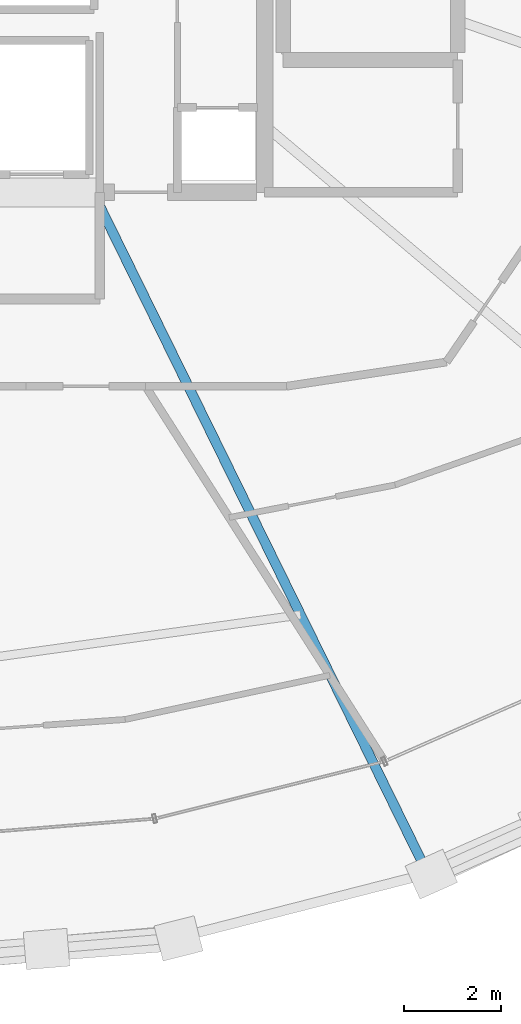
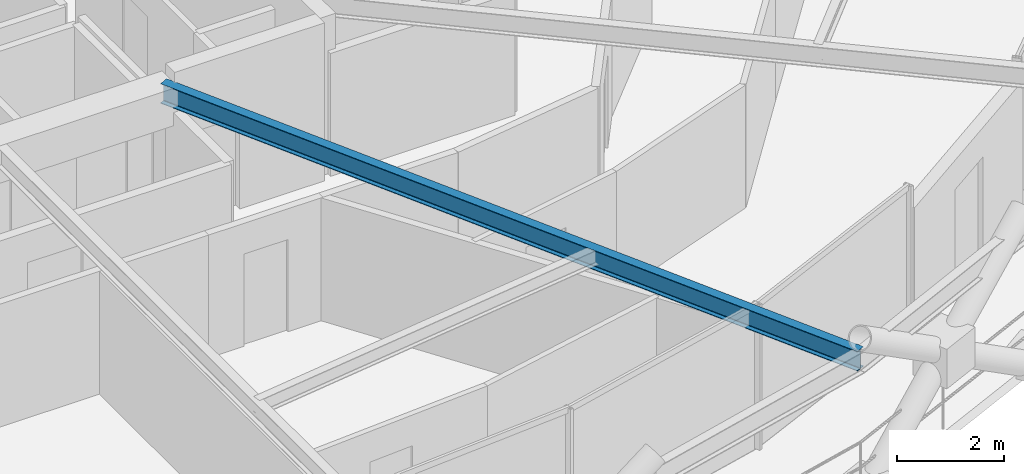
# One storey, part 5 of 17: 1 beam.
"""IFC4 building model written with IfcOpenShell, lengths in metres."""

import ifcopenshell
import ifcopenshell.guid

model = None  # the IFC model being written
_history = None  # IfcOwnerHistory: only IFC2X3 demands one
_inside = {}  # id of a spatial element -> (the spatial element, [elements in it])
_under = {}  # id of a project, library or spatial element -> (it, [spatial elements below it])
_declared = {}  # id of a project -> (the project, [libraries it declares])
_typed = {}  # id of a type object -> (the type object, [elements of that type])
_made_of = {}  # id of a material, layer set ... -> (it, [elements and type objects made of it])


def new_model(schema):
    """Start an empty IFC model of exactly this schema.

    Asked for "IFC4X3", IfcOpenShell would pick the latest addendum, in which some entities
    have other attributes; the version numbers below select the first issue.
    IFC2X3 requires an IfcOwnerHistory on every rooted entity: one is made here for all.
    """
    global model, _history
    if schema == "IFC4X3":
        model = ifcopenshell.file(schema_version=(4, 3, 0, 0))
    else:
        model = ifcopenshell.file(schema=schema)
    _inside.clear()
    _under.clear()
    _declared.clear()
    _typed.clear()
    _made_of.clear()
    _history = None
    if model.schema == "IFC2X3":
        org = make("IfcOrganization", Name="unknown")
        user = make(
            "IfcPersonAndOrganization",
            ThePerson=make("IfcPerson", FamilyName="unknown"),
            TheOrganization=org,
        )
        app = make(
            "IfcApplication",
            ApplicationDeveloper=org,
            Version="unknown",
            ApplicationFullName="unknown",
            ApplicationIdentifier="unknown",
        )
        _history = make(
            "IfcOwnerHistory",
            OwningUser=user,
            OwningApplication=app,
            ChangeAction="ADDED",
            CreationDate=0,
        )
    return model


def make(cls, **values):
    """One entity of the class cls with the attributes given. An attribute that is None is left unset."""
    return model.create_entity(
        cls, **{name: value for name, value in values.items() if value is not None}
    )


def rooted(cls, **values):
    """An entity with a GlobalId (a new one), such as an element, a storey or a relation."""
    return make(cls, GlobalId=ifcopenshell.guid.new(), OwnerHistory=_history, **values)


def si_unit(unit_type, name, prefix=None):
    """IfcSIUnit, for example si_unit("LENGTHUNIT", "METRE", prefix="MILLI")."""
    return make("IfcSIUnit", UnitType=unit_type, Prefix=prefix, Name=name)


def assignment(units):
    """IfcUnitAssignment: the units of a project."""
    return None if units is None else make("IfcUnitAssignment", Units=units)


def point(xyz):
    """IfcCartesianPoint."""
    return None if xyz is None else make("IfcCartesianPoint", Coordinates=xyz)


def direction(xyz):
    """IfcDirection."""
    return None if xyz is None else make("IfcDirection", DirectionRatios=xyz)


def frame(location, z_axis=None, x_axis=None):
    """IfcAxis2Placement3D, a coordinate frame: its origin and axes. An axis left out is left unset."""
    return make(
        "IfcAxis2Placement3D",
        Location=point(location),
        Axis=direction(z_axis),
        RefDirection=direction(x_axis),
    )


def frame_2d(location, x_axis=None):
    """IfcAxis2Placement2D, a coordinate frame in the plane: its origin and x axis."""
    return make(
        "IfcAxis2Placement2D", Location=point(location), RefDirection=direction(x_axis)
    )


def origin():
    """The frame at (0, 0, 0) with its axes left unset."""
    return frame((0.0, 0.0, 0.0))


def origin_2d():
    """The frame at (0, 0) in the plane with its x axis left unset."""
    return frame_2d((0.0, 0.0))


def place(relative_to, where):
    """IfcLocalPlacement: puts the frame where relative to a parent placement (None: the world)."""
    return make(
        "IfcLocalPlacement", PlacementRelTo=relative_to, RelativePlacement=where
    )


def context(
    kind, dimensions, precision=None, world=None, true_north=None, identifier=None
):
    """IfcGeometricRepresentationContext, for example the 3D "Model" context."""
    return make(
        "IfcGeometricRepresentationContext",
        ContextIdentifier=identifier,
        ContextType=kind,
        CoordinateSpaceDimension=dimensions,
        Precision=precision,
        WorldCoordinateSystem=world,
        TrueNorth=true_north,
    )


def subcontext(parent, identifier, kind, view, scale=None):
    """IfcGeometricRepresentationSubContext, for example "Body" below "Model"."""
    return make(
        "IfcGeometricRepresentationSubContext",
        ContextIdentifier=identifier,
        ContextType=kind,
        ParentContext=parent,
        TargetScale=scale,
        TargetView=view,
    )


def project(units=None, contexts=None):
    """IfcProject with its units and contexts."""
    return rooted(
        "IfcProject",
        Name="project",
        RepresentationContexts=contexts,
        UnitsInContext=assignment(units),
    )


def spatial(cls, under=None, at=None, **own):
    """A site, building, storey or space (cls), placed at a placement, below another one or the project."""
    s = rooted(cls, ObjectPlacement=at, **own)
    if under is not None:
        _under.setdefault(under.id(), (under, []))[1].append(s)
    return s


def profile(cls, at=None, kind="AREA", **sizes):
    """A parametric profile (cls). Its sizes go by their IFC names, for example OverallWidth=200.0."""
    return make(cls, ProfileType=kind, Position=at, **sizes)


def i_section(**sizes):
    """IfcIShapeProfileDef."""
    return profile("IfcIShapeProfileDef", **sizes)


def extrude(swept, where, along, depth):
    """IfcExtrudedAreaSolid: the profile swept, set in the frame where, extruded along a direction by depth."""
    return make(
        "IfcExtrudedAreaSolid",
        SweptArea=swept,
        Position=where,
        ExtrudedDirection=direction(along),
        Depth=depth,
    )


def shape(context_of_items, identifier, shape_type, items):
    """IfcShapeRepresentation: the items that make up one representation, for example the "Body"."""
    return make(
        "IfcShapeRepresentation",
        ContextOfItems=context_of_items,
        RepresentationIdentifier=identifier,
        RepresentationType=shape_type,
        Items=items,
    )


def material(Name=None, Category=None):
    """IfcMaterial."""
    return make("IfcMaterial", Name=Name, Category=Category)


def material_profile(
    of_material, cross_section, Name=None, Category=None, Priority=None
):
    """IfcMaterialProfile: a cross section and its material."""
    return make(
        "IfcMaterialProfile",
        Name=Name,
        Material=of_material,
        Profile=cross_section,
        Priority=Priority,
        Category=Category,
    )


def profile_set(profiles, Name=None, composite=None):
    """IfcMaterialProfileSet."""
    return make(
        "IfcMaterialProfileSet",
        Name=Name,
        MaterialProfiles=profiles,
        CompositeProfile=composite,
    )


def made_of(thing, what):
    """Note that an element or type object is made of a material, layer set ...; save() writes the relation."""
    if what is not None:
        _made_of.setdefault(what.id(), (what, []))[1].append(thing)
    return thing


def type_object(cls, material=None, **own):
    """A type object (cls), such as IfcWallType, which elements share."""
    return made_of(rooted(cls, **own), material)


def element(
    cls,
    number,
    at=None,
    inside=None,
    cuts=None,
    type_object=None,
    material=None,
    context=None,
    identifier="Body",
    shape_type=None,
    held_by="IfcProductDefinitionShape",
    body=None,
    shapes=None,
    **own,
):
    """One element of the class cls, such as IfcWall. Its Tag is "e" and its number.

    at: its placement. inside: the storey or other place that contains it. cuts: it is an
    opening in that element (IfcRelVoidsElement). A single representation is given by context,
    identifier, shape_type and body (its items); several are given by shapes. held_by: the class
    of the entity that holds the representations. save() writes the other relations.
    """
    e = rooted(cls, Tag="e%d" % number, ObjectPlacement=at, **own)
    if body is not None:
        shapes = [shape(context, identifier, shape_type, body)]
    if shapes is not None:
        e.Representation = make(held_by, Representations=shapes)
    if inside is not None:
        _inside.setdefault(inside.id(), (inside, []))[1].append(e)
    if cuts is not None:
        rooted(
            "IfcRelVoidsElement", RelatingBuildingElement=cuts, RelatedOpeningElement=e
        )
    if type_object is not None:
        _typed.setdefault(type_object.id(), (type_object, []))[1].append(e)
    return made_of(e, material)


def aggregate(whole, parts):
    """IfcRelAggregates: a whole, such as a stair, and the parts it consists of."""
    return rooted("IfcRelAggregates", RelatingObject=whole, RelatedObjects=parts)


def save(model, path):
    """Write the relations noted so far, then the file.

    IfcRelAggregates (storeys below a building ...), IfcRelContainedInSpatialStructure (elements
    in a storey), IfcRelDefinesByType, IfcRelAssociatesMaterial and IfcRelDeclares: one each for
    every whole, place, type object, material and project.
    """
    for whole, parts in _under.values():
        aggregate(whole, parts)
    for where, things in _inside.values():
        rooted(
            "IfcRelContainedInSpatialStructure",
            RelatedElements=things,
            RelatingStructure=where,
        )
    for kind, things in _typed.values():
        rooted("IfcRelDefinesByType", RelatedObjects=things, RelatingType=kind)
    for what, things in _made_of.values():
        rooted("IfcRelAssociatesMaterial", RelatedObjects=things, RelatingMaterial=what)
    for by, libraries in _declared.values():
        rooted("IfcRelDeclares", RelatingContext=by, RelatedDefinitions=libraries)
    model.write(path)


model = new_model("IFC4")

# Units and contexts
model_context = context("Model", 3, precision=1e-05, world=origin(), true_north=direction((0.0, 1.0)))
body_context = subcontext(model_context, "Body", "Model", "MODEL_VIEW")
ifc_project = project(units=[si_unit("LENGTHUNIT", "METRE"), si_unit("AREAUNIT", "SQUARE_METRE"), si_unit("VOLUMEUNIT", "CUBIC_METRE"), si_unit("PLANEANGLEUNIT", "RADIAN"), si_unit("MASSUNIT", "GRAM", prefix="KILO")], contexts=[model_context])

# Site, building, storey
site_placement = place(None, origin())
site = spatial("IfcSite", under=ifc_project, at=site_placement, CompositionType="ELEMENT")
building_placement = place(site_placement, origin())
building = spatial("IfcBuilding", under=site, at=building_placement, Name="Veldorina Hangang Commons", CompositionType="ELEMENT")
storey_placement = place(building_placement, frame((0.0, 0.0, 178.39990234375)))
storey = spatial("IfcBuildingStorey", under=building, at=storey_placement, Name="L46", CompositionType="ELEMENT", Elevation=178.39990234375)

# Beam
ifc_material = material(Name="Steel SM355-TMC", Category="steel")
ifc_material_profile = material_profile(ifc_material, i_section(OverallWidth=0.199951171875, OverallDepth=0.449951171875, WebThickness=0.009033203125, FlangeThickness=0.013916015625, FilletRadius=0.01611328125, at=origin_2d()), Name="H-450x200x9x14")
ifc_profile_set = profile_set([ifc_material_profile], Name="Steel SM355-TMC")
beam_type = type_object("IfcBeamType", Name="BM-FG450", PredefinedType="BEAM", material=ifc_profile_set)
beam_placement = place(storey_placement, frame((35.659912109375, 16.550048828125, 3.125), z_axis=(0.440929218385, -0.897541878897, 0.0), x_axis=(0.897541878897, 0.440929218385, 0.0)))
element("IfcBeam", 1, at=beam_placement, inside=storey, type_object=beam_type, Name="L46 radial floor girder 14", PredefinedType="BEAM", context=body_context, shape_type="SweptSolid", body=[
    extrude(i_section(OverallWidth=0.199951171875, OverallDepth=0.449951171875, WebThickness=0.009033203125, FlangeThickness=0.013916015625, FilletRadius=0.01611328125, at=origin_2d()), origin(), (0.0, 0.0, 1.0), 15.66015625),
])

save(model, "model.ifc")
